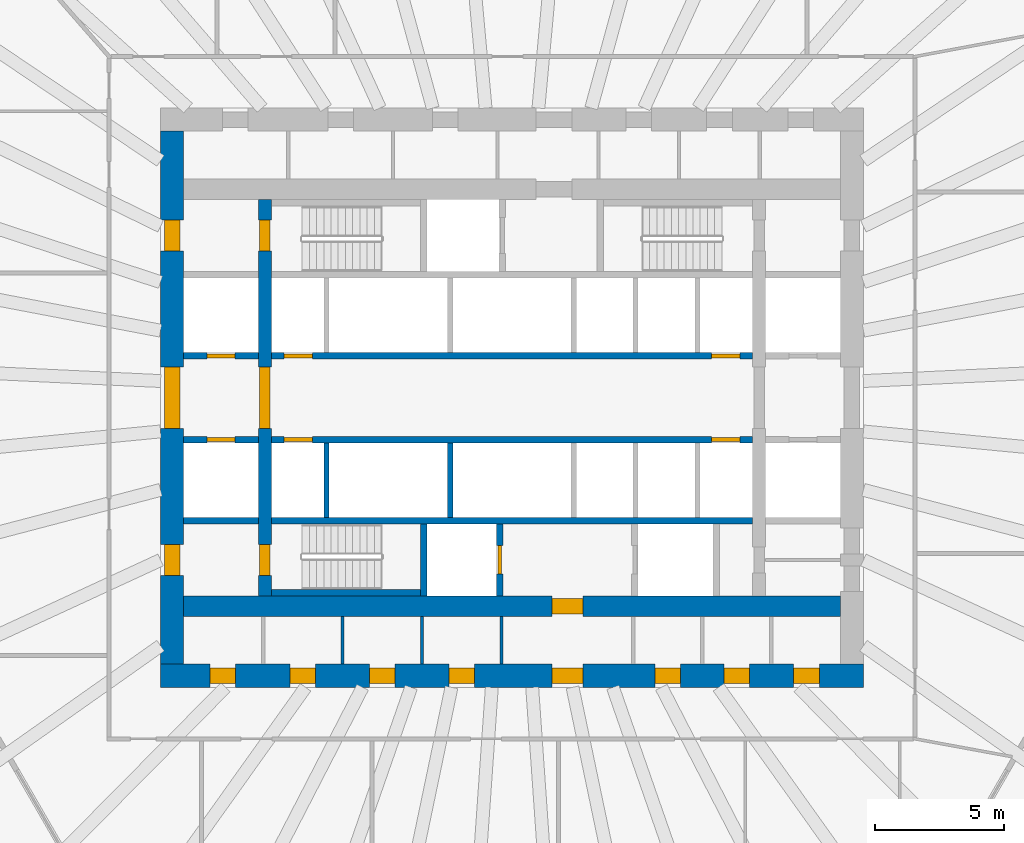
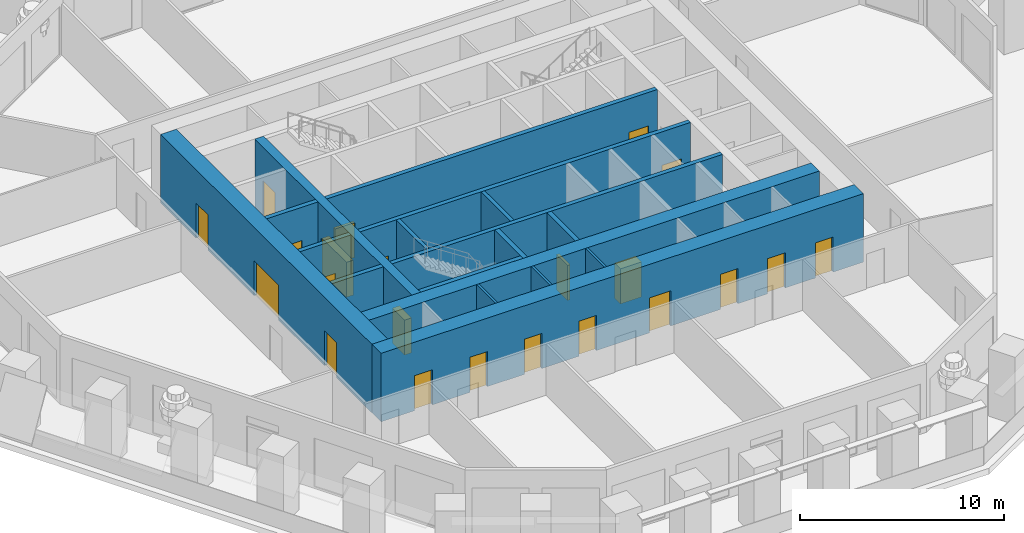
# One storey, part 4 of 12: 22 doors, 18 walls, 22 openings.
"""IFC4 building model written with IfcOpenShell, lengths in metres."""

from ifc_helpers import new_model, si_unit, direction, frame, frame_2d, origin, place, context, subcontext, project, spatial, rectangle, extrude, material, layer, layer_set, type_object, element, fill, save


model = new_model("IFC4")

# Units and contexts
model_context = context("Model", 3, precision=1e-05, world=origin(), true_north=direction((0.0, 1.0)))
body_context = subcontext(model_context, "Body", "Model", "MODEL_VIEW")
ifc_project = project(units=[si_unit("LENGTHUNIT", "METRE"), si_unit("AREAUNIT", "SQUARE_METRE"), si_unit("VOLUMEUNIT", "CUBIC_METRE"), si_unit("PLANEANGLEUNIT", "RADIAN"), si_unit("MASSUNIT", "GRAM", prefix="KILO")], contexts=[model_context])

# Site, building, storey
site_placement = place(None, origin())
site = spatial("IfcSite", under=ifc_project, at=site_placement, CompositionType="ELEMENT")
building_placement = place(site_placement, origin())
building = spatial("IfcBuilding", under=site, at=building_placement, Name="Frailejon Research Tower", CompositionType="ELEMENT")
storey_placement = place(building_placement, frame((0.0, 0.0, 63.0)))
storey = spatial("IfcBuildingStorey", under=building, at=storey_placement, Name="L14", CompositionType="ELEMENT", Elevation=63.0)

# Walls
ifc_material_1 = material(Name="Plasterboard on steel studs", Category="steel")
ifc_layer_1 = layer(ifc_material_1, 0.125)
ifc_layer_set_1 = layer_set([ifc_layer_1], Name="Core partition 125")
wall_type_1 = type_object("IfcWallType", Name="Core partition 125", PredefinedType="PARTITIONING", material=ifc_layer_set_1)
for number, where, z_axis, x_axis, name in (
    (1, (-6.581298828125, -10.35009765625, 0.0), (0.0, 0.0, 1.0), (0.0, 1.0, 0.0), "Core partition"),
    (2, (-3.496826171875, -10.35009765625, 0.0), (0.0, 0.0, 1.0), (0.0, 1.0, 0.0), "Core partition"),
    (3, (-0.41259765625, -10.35009765625, 0.0), (0.0, 0.0, 1.0), (0.0, 1.0, 0.0), "Core partition"),
):
    element("IfcWall", number, at=place(storey_placement, frame(where, z_axis=z_axis, x_axis=x_axis)), inside=storey, type_object=wall_type_1, Name=name, PredefinedType="PARTITIONING", context=body_context, shape_type="SweptSolid", body=[
        extrude(rectangle(XDim=1.85009765625, YDim=0.125, at=frame_2d((0.925048828125, 0.0))), origin(), (0.0, 0.0, 1.0), 4.10009765625),
    ])

# Wall, openings, doors
ifc_material_2 = material(Name="Concrete C70/85", Category="concrete")
ifc_layer_2 = layer(ifc_material_2, 0.5)
ifc_layer_set_2 = layer_set([ifc_layer_2], Name="Core shear wall 500 C70/85")
wall_type_2 = type_object("IfcWallType", Name="Core shear wall 500 C70/85", PredefinedType="SHEAR", material=ifc_layer_set_2)
wall_1_placement = place(storey_placement, frame((-9.60009765625, -7.699951171875, 0.0), z_axis=(0.0, 0.0, 1.0), x_axis=(0.0, 1.0, 0.0)))
wall_1 = element("IfcWall", 4, at=wall_1_placement, inside=storey, type_object=wall_type_2, Name="Core shear wall", PredefinedType="SHEAR", context=body_context, shape_type="SweptSolid", body=[
    extrude(rectangle(XDim=15.39990234375, YDim=0.5, at=frame_2d((7.699951171875, 0.0))), origin(), (0.0, 0.0, 1.0), 4.10009765625),
])
opening_1_placement = place(wall_1_placement, frame((6.5, 0.0, 0.0)))
opening_1 = element("IfcOpeningElement", 5, at=opening_1_placement, cuts=wall_1, Name="Opening D2", PredefinedType="OPENING", context=body_context, shape_type="SweptSolid", body=[
    extrude(rectangle(XDim=2.39990234375, YDim=2.10009765625, at=frame_2d((1.199951171875, 1.050048828125))), frame((0.0, 0.260009765625, 0.0), z_axis=(0.0, -1.0, 0.0), x_axis=(1.0, 0.0, 0.0)), (0.0, 0.0, 1.0), 0.52001953125),
])
opening_2_placement = place(wall_1_placement, frame((13.39990234375, 0.0, 0.0)))
opening_2 = element("IfcOpeningElement", 6, at=opening_2_placement, cuts=wall_1, Name="Opening D1", PredefinedType="OPENING", context=body_context, shape_type="SweptSolid", body=[
    extrude(rectangle(XDim=1.199951171875, YDim=2.10009765625, at=frame_2d((0.60009765625, 1.050048828125))), frame((0.0, 0.260009765625, 0.0), z_axis=(0.0, -1.0, 0.0), x_axis=(1.0, 0.0, 0.0)), (0.0, 0.0, 1.0), 0.52001953125),
])
opening_3_placement = place(wall_1_placement, frame((0.800048828125, 0.0, 0.0)))
opening_3 = element("IfcOpeningElement", 7, at=opening_3_placement, cuts=wall_1, Name="Opening D1", PredefinedType="OPENING", context=body_context, shape_type="SweptSolid", body=[
    extrude(rectangle(XDim=1.199951171875, YDim=2.10009765625, at=frame_2d((0.60009765625, 1.050048828125))), frame((0.0, 0.260009765625, 0.0), z_axis=(0.0, -1.0, 0.0), x_axis=(1.0, 0.0, 0.0)), (0.0, 0.0, 1.0), 0.52001953125),
])
ifc_material_3 = material(Name="Steel", Category="steel")
door_type_1 = type_object("IfcDoorType", Name="Lobby double door", OperationType="DOUBLE_DOOR_SINGLE_SWING", PredefinedType="DOOR", material=ifc_material_3)
door_1_placement = place(opening_1_placement, origin())
door_1 = element("IfcDoor", 8, at=door_1_placement, inside=storey, type_object=door_type_1, Name="Lobby door", OperationType="DOUBLE_DOOR_SINGLE_SWING", OverallHeight=2.10009765625, OverallWidth=2.39990234375, PredefinedType="DOOR", context=body_context, shape_type="SweptSolid", body=[
    extrude(rectangle(XDim=2.39990234375, YDim=2.10009765625, at=frame_2d((1.199951171875, 1.050048828125))), frame((0.0, 0.199951171875, 0.0), z_axis=(0.0, -1.0, 0.0), x_axis=(1.0, 0.0, 0.0)), (0.0, 0.0, 1.0), 0.39990234375),
])
fill(opening_1, door_1)
ifc_material_4 = material(Name="Steel", Category="steel")
door_type_2 = type_object("IfcDoorType", Name="Stair door", OperationType="SINGLE_SWING_LEFT", PredefinedType="DOOR", material=ifc_material_4)
door_2_placement = place(opening_2_placement, origin())
door_2 = element("IfcDoor", 9, at=door_2_placement, inside=storey, type_object=door_type_2, Name="Stair door ST1", OperationType="SINGLE_SWING_LEFT", OverallHeight=2.10009765625, OverallWidth=1.199951171875, PredefinedType="DOOR", context=body_context, shape_type="SweptSolid", body=[
    extrude(rectangle(XDim=1.199951171875, YDim=2.10009765625, at=frame_2d((0.60009765625, 1.050048828125))), frame((0.0, 0.199951171875, 0.0), z_axis=(0.0, -1.0, 0.0), x_axis=(1.0, 0.0, 0.0)), (0.0, 0.0, 1.0), 0.39990234375),
])
fill(opening_2, door_2)
door_3_placement = place(opening_3_placement, origin())
door_3 = element("IfcDoor", 10, at=door_3_placement, inside=storey, type_object=door_type_2, Name="Stair door ST2", OperationType="SINGLE_SWING_LEFT", OverallHeight=2.10009765625, OverallWidth=1.199951171875, PredefinedType="DOOR", context=body_context, shape_type="SweptSolid", body=[
    extrude(rectangle(XDim=1.199951171875, YDim=2.10009765625, at=frame_2d((0.60009765625, 1.050048828125))), frame((0.0, 0.199951171875, 0.0), z_axis=(0.0, -1.0, 0.0), x_axis=(1.0, 0.0, 0.0)), (0.0, 0.0, 1.0), 0.39990234375),
])
fill(opening_3, door_3)

# Wall, opening, door
ifc_material_5 = material(Name="Concrete C70/85", Category="concrete")
ifc_layer_3 = layer(ifc_material_5, 0.800048828125)
ifc_layer_set_3 = layer_set([ifc_layer_3], Name="Core shear wall 800 C70/85")
wall_type_3 = type_object("IfcWallType", Name="Core shear wall 800 C70/85", PredefinedType="SHEAR", material=ifc_layer_set_3)
wall_2_placement = place(storey_placement, frame((-12.75, -8.10009765625, 0.0), z_axis=(0.0, 0.0, 1.0), x_axis=(1.0, 0.0, 0.0)))
wall_2 = element("IfcWall", 11, at=wall_2_placement, inside=storey, type_object=wall_type_3, Name="Core shear wall", PredefinedType="SHEAR", context=body_context, shape_type="SweptSolid", body=[
    extrude(rectangle(XDim=25.5, YDim=0.800048828125, at=frame_2d((12.75, 0.0))), origin(), (0.0, 0.0, 1.0), 4.10009765625),
])
opening_4_placement = place(wall_2_placement, frame((14.300048828125, 0.0, 0.0)))
opening_4 = element("IfcOpeningElement", 12, at=opening_4_placement, cuts=wall_2, Name="Opening D3", PredefinedType="OPENING", context=body_context, shape_type="SweptSolid", body=[
    extrude(rectangle(XDim=1.199951171875, YDim=2.10009765625, at=frame_2d((0.60009765625, 1.050048828125))), frame((0.0, 0.409912109375, 0.0), z_axis=(0.0, -1.0, 0.0), x_axis=(1.0, 0.0, 0.0)), (0.0, 0.0, 1.0), 0.820068359375),
])
ifc_material_6 = material(Name="Steel", Category="steel")
door_type_3 = type_object("IfcDoorType", Name="Firefighting lobby door", OperationType="SINGLE_SWING_LEFT", PredefinedType="DOOR", material=ifc_material_6)
door_4_placement = place(opening_4_placement, origin())
door_4 = element("IfcDoor", 13, at=door_4_placement, inside=storey, type_object=door_type_3, Name="Firefighting lobby door", OperationType="SINGLE_SWING_LEFT", OverallHeight=2.10009765625, OverallWidth=1.199951171875, PredefinedType="DOOR", context=body_context, shape_type="SweptSolid", body=[
    extrude(rectangle(XDim=1.199951171875, YDim=2.10009765625, at=frame_2d((0.60009765625, 1.050048828125))), frame((0.0, 0.300048828125, 0.0), z_axis=(0.0, -1.0, 0.0), x_axis=(1.0, 0.0, 0.0)), (0.0, 0.0, 1.0), 0.60009765625),
])
fill(opening_4, door_4)

# Wall, openings, doors
ifc_material_7 = material(Name="Concrete C70/85", Category="concrete")
ifc_layer_4 = layer(ifc_material_7, 0.89990234375)
ifc_layer_set_4 = layer_set([ifc_layer_4], Name="Core shear wall 900 C70/85")
wall_type_4 = type_object("IfcWallType", Name="Core shear wall 900 C70/85", PredefinedType="SHEAR", material=ifc_layer_set_4)
wall_3_placement = place(storey_placement, frame((-13.64990234375, -10.800048828125, 0.0), z_axis=(0.0, 0.0, 1.0), x_axis=(1.0, 0.0, 0.0)))
wall_3 = element("IfcWall", 14, at=wall_3_placement, inside=storey, type_object=wall_type_4, Name="Core shear wall", PredefinedType="SHEAR", context=body_context, shape_type="SweptSolid", body=[
    extrude(rectangle(XDim=27.2998046875, YDim=0.89990234375, at=frame_2d((13.64990234375, 0.0))), origin(), (0.0, 0.0, 1.0), 4.10009765625),
])
opening_5_placement = place(wall_3_placement, frame((1.910888671875, 0.0, 0.0)))
opening_5 = element("IfcOpeningElement", 15, at=opening_5_placement, cuts=wall_3, Name="Opening D4", PredefinedType="OPENING", context=body_context, shape_type="SweptSolid", body=[
    extrude(rectangle(XDim=1.0, YDim=2.10009765625, at=frame_2d((0.5, 1.050048828125))), frame((0.0, 0.4599609375, 0.0), z_axis=(0.0, -1.0, 0.0), x_axis=(1.0, 0.0, 0.0)), (0.0, 0.0, 1.0), 0.919921875),
])
opening_6_placement = place(wall_3_placement, frame((5.026611328125, 0.0, 0.0)))
opening_6 = element("IfcOpeningElement", 16, at=opening_6_placement, cuts=wall_3, Name="Opening D4", PredefinedType="OPENING", context=body_context, shape_type="SweptSolid", body=[
    extrude(rectangle(XDim=1.0, YDim=2.10009765625, at=frame_2d((0.5, 1.050048828125))), frame((0.0, 0.4599609375, 0.0), z_axis=(0.0, -1.0, 0.0), x_axis=(1.0, 0.0, 0.0)), (0.0, 0.0, 1.0), 0.919921875),
])
opening_7_placement = place(wall_3_placement, frame((8.11083984375, 0.0, 0.0)))
opening_7 = element("IfcOpeningElement", 17, at=opening_7_placement, cuts=wall_3, Name="Opening D4", PredefinedType="OPENING", context=body_context, shape_type="SweptSolid", body=[
    extrude(rectangle(XDim=1.0, YDim=2.10009765625, at=frame_2d((0.5, 1.050048828125))), frame((0.0, 0.4599609375, 0.0), z_axis=(0.0, -1.0, 0.0), x_axis=(1.0, 0.0, 0.0)), (0.0, 0.0, 1.0), 0.919921875),
])
opening_8_placement = place(wall_3_placement, frame((11.1953125, 0.0, 0.0)))
opening_8 = element("IfcOpeningElement", 18, at=opening_8_placement, cuts=wall_3, Name="Opening D4", PredefinedType="OPENING", context=body_context, shape_type="SweptSolid", body=[
    extrude(rectangle(XDim=1.0, YDim=2.10009765625, at=frame_2d((0.5, 1.050048828125))), frame((0.0, 0.4599609375, 0.0), z_axis=(0.0, -1.0, 0.0), x_axis=(1.0, 0.0, 0.0)), (0.0, 0.0, 1.0), 0.919921875),
])
opening_9_placement = place(wall_3_placement, frame((19.2021484375, 0.0, 0.0)))
opening_9 = element("IfcOpeningElement", 19, at=opening_9_placement, cuts=wall_3, Name="Opening D4", PredefinedType="OPENING", context=body_context, shape_type="SweptSolid", body=[
    extrude(rectangle(XDim=1.0, YDim=2.10009765625, at=frame_2d((0.5, 1.050048828125))), frame((0.0, 0.4599609375, 0.0), z_axis=(0.0, -1.0, 0.0), x_axis=(1.0, 0.0, 0.0)), (0.0, 0.0, 1.0), 0.919921875),
])
opening_10_placement = place(wall_3_placement, frame((21.881103515625, 0.0, 0.0)))
opening_10 = element("IfcOpeningElement", 20, at=opening_10_placement, cuts=wall_3, Name="Opening D4", PredefinedType="OPENING", context=body_context, shape_type="SweptSolid", body=[
    extrude(rectangle(XDim=1.0, YDim=2.10009765625, at=frame_2d((0.5, 1.050048828125))), frame((0.0, 0.4599609375, 0.0), z_axis=(0.0, -1.0, 0.0), x_axis=(1.0, 0.0, 0.0)), (0.0, 0.0, 1.0), 0.919921875),
])
opening_11_placement = place(wall_3_placement, frame((24.591796875, 0.0, 0.0)))
opening_11 = element("IfcOpeningElement", 21, at=opening_11_placement, cuts=wall_3, Name="Opening D4", PredefinedType="OPENING", context=body_context, shape_type="SweptSolid", body=[
    extrude(rectangle(XDim=1.0, YDim=2.10009765625, at=frame_2d((0.5, 1.050048828125))), frame((0.0, 0.4599609375, 0.0), z_axis=(0.0, -1.0, 0.0), x_axis=(1.0, 0.0, 0.0)), (0.0, 0.0, 1.0), 0.919921875),
])
opening_12_placement = place(wall_3_placement, frame((15.199951171875, 0.0, 0.0)))
opening_12 = element("IfcOpeningElement", 22, at=opening_12_placement, cuts=wall_3, Name="Opening D3", PredefinedType="OPENING", context=body_context, shape_type="SweptSolid", body=[
    extrude(rectangle(XDim=1.199951171875, YDim=2.10009765625, at=frame_2d((0.60009765625, 1.050048828125))), frame((0.0, 0.4599609375, 0.0), z_axis=(0.0, -1.0, 0.0), x_axis=(1.0, 0.0, 0.0)), (0.0, 0.0, 1.0), 0.919921875),
])
door_5_placement = place(opening_12_placement, origin())
door_5 = element("IfcDoor", 23, at=door_5_placement, inside=storey, type_object=door_type_3, Name="Passage door", OperationType="SINGLE_SWING_RIGHT", OverallHeight=2.10009765625, OverallWidth=1.199951171875, PredefinedType="DOOR", context=body_context, shape_type="SweptSolid", body=[
    extrude(rectangle(XDim=1.199951171875, YDim=2.10009765625, at=frame_2d((0.60009765625, 1.050048828125))), frame((0.0, 0.300048828125, 0.0), z_axis=(0.0, -1.0, 0.0), x_axis=(1.0, 0.0, 0.0)), (0.0, 0.0, 1.0), 0.60009765625),
])
fill(opening_12, door_5)
ifc_material_8 = material(Name="Steel", Category="steel")
door_type_4 = type_object("IfcDoorType", Name="Service door", OperationType="SINGLE_SWING_LEFT", PredefinedType="DOOR", material=ifc_material_8)
door_6_placement = place(opening_5_placement, origin())
door_6 = element("IfcDoor", 24, at=door_6_placement, inside=storey, type_object=door_type_4, Name="Room door", OperationType="SINGLE_SWING_LEFT", OverallHeight=2.10009765625, OverallWidth=1.0, PredefinedType="DOOR", context=body_context, shape_type="SweptSolid", body=[
    extrude(rectangle(XDim=1.0, YDim=2.10009765625, at=frame_2d((0.5, 1.050048828125))), frame((0.0, 0.300048828125, 0.0), z_axis=(0.0, -1.0, 0.0), x_axis=(1.0, 0.0, 0.0)), (0.0, 0.0, 1.0), 0.60009765625),
])
fill(opening_5, door_6)
door_7_placement = place(opening_6_placement, origin())
door_7 = element("IfcDoor", 25, at=door_7_placement, inside=storey, type_object=door_type_4, Name="Room door", OperationType="SINGLE_SWING_RIGHT", OverallHeight=2.10009765625, OverallWidth=1.0, PredefinedType="DOOR", context=body_context, shape_type="SweptSolid", body=[
    extrude(rectangle(XDim=1.0, YDim=2.10009765625, at=frame_2d((0.5, 1.050048828125))), frame((0.0, 0.300048828125, 0.0), z_axis=(0.0, -1.0, 0.0), x_axis=(1.0, 0.0, 0.0)), (0.0, 0.0, 1.0), 0.60009765625),
])
fill(opening_6, door_7)
door_8_placement = place(opening_7_placement, origin())
door_8 = element("IfcDoor", 26, at=door_8_placement, inside=storey, type_object=door_type_4, Name="Room door", OperationType="SINGLE_SWING_LEFT", OverallHeight=2.10009765625, OverallWidth=1.0, PredefinedType="DOOR", context=body_context, shape_type="SweptSolid", body=[
    extrude(rectangle(XDim=1.0, YDim=2.10009765625, at=frame_2d((0.5, 1.050048828125))), frame((0.0, 0.300048828125, 0.0), z_axis=(0.0, -1.0, 0.0), x_axis=(1.0, 0.0, 0.0)), (0.0, 0.0, 1.0), 0.60009765625),
])
fill(opening_7, door_8)
door_9_placement = place(opening_8_placement, origin())
door_9 = element("IfcDoor", 27, at=door_9_placement, inside=storey, type_object=door_type_4, Name="Room door", OperationType="SINGLE_SWING_RIGHT", OverallHeight=2.10009765625, OverallWidth=1.0, PredefinedType="DOOR", context=body_context, shape_type="SweptSolid", body=[
    extrude(rectangle(XDim=1.0, YDim=2.10009765625, at=frame_2d((0.5, 1.050048828125))), frame((0.0, 0.300048828125, 0.0), z_axis=(0.0, -1.0, 0.0), x_axis=(1.0, 0.0, 0.0)), (0.0, 0.0, 1.0), 0.60009765625),
])
fill(opening_8, door_9)
door_10_placement = place(opening_9_placement, origin())
door_10 = element("IfcDoor", 28, at=door_10_placement, inside=storey, type_object=door_type_4, Name="Room door", OperationType="SINGLE_SWING_LEFT", OverallHeight=2.10009765625, OverallWidth=1.0, PredefinedType="DOOR", context=body_context, shape_type="SweptSolid", body=[
    extrude(rectangle(XDim=1.0, YDim=2.10009765625, at=frame_2d((0.5, 1.050048828125))), frame((0.0, 0.300048828125, 0.0), z_axis=(0.0, -1.0, 0.0), x_axis=(1.0, 0.0, 0.0)), (0.0, 0.0, 1.0), 0.60009765625),
])
fill(opening_9, door_10)
door_11_placement = place(opening_10_placement, origin())
door_11 = element("IfcDoor", 29, at=door_11_placement, inside=storey, type_object=door_type_4, Name="Room door", OperationType="SINGLE_SWING_RIGHT", OverallHeight=2.10009765625, OverallWidth=1.0, PredefinedType="DOOR", context=body_context, shape_type="SweptSolid", body=[
    extrude(rectangle(XDim=1.0, YDim=2.10009765625, at=frame_2d((0.5, 1.050048828125))), frame((0.0, 0.300048828125, 0.0), z_axis=(0.0, -1.0, 0.0), x_axis=(1.0, 0.0, 0.0)), (0.0, 0.0, 1.0), 0.60009765625),
])
fill(opening_10, door_11)
door_12_placement = place(opening_11_placement, origin())
door_12 = element("IfcDoor", 30, at=door_12_placement, inside=storey, type_object=door_type_4, Name="Room door", OperationType="SINGLE_SWING_LEFT", OverallHeight=2.10009765625, OverallWidth=1.0, PredefinedType="DOOR", context=body_context, shape_type="SweptSolid", body=[
    extrude(rectangle(XDim=1.0, YDim=2.10009765625, at=frame_2d((0.5, 1.050048828125))), frame((0.0, 0.300048828125, 0.0), z_axis=(0.0, -1.0, 0.0), x_axis=(1.0, 0.0, 0.0)), (0.0, 0.0, 1.0), 0.60009765625),
])
fill(opening_11, door_12)

wall_4_placement = place(storey_placement, frame((-13.199951171875, -10.35009765625, 0.0), z_axis=(0.0, 0.0, 1.0), x_axis=(0.0, 1.0, 0.0)))
wall_4 = element("IfcWall", 31, at=wall_4_placement, inside=storey, type_object=wall_type_4, Name="Core shear wall", PredefinedType="SHEAR", context=body_context, shape_type="SweptSolid", body=[
    extrude(rectangle(XDim=20.7001953125, YDim=0.89990234375, at=frame_2d((10.35009765625, 0.0))), origin(), (0.0, 0.0, 1.0), 4.10009765625),
])
opening_13_placement = place(wall_4_placement, frame((9.14990234375, 0.0, 0.0)))
opening_13 = element("IfcOpeningElement", 32, at=opening_13_placement, cuts=wall_4, Name="Opening D2", PredefinedType="OPENING", context=body_context, shape_type="SweptSolid", body=[
    extrude(rectangle(XDim=2.39990234375, YDim=2.10009765625, at=frame_2d((1.199951171875, 1.050048828125))), frame((0.0, 0.4599609375, 0.0), z_axis=(0.0, -1.0, 0.0), x_axis=(1.0, 0.0, 0.0)), (0.0, 0.0, 1.0), 0.919921875),
])
opening_14_placement = place(wall_4_placement, frame((16.050048828125, 0.0, 0.0)))
opening_14 = element("IfcOpeningElement", 33, at=opening_14_placement, cuts=wall_4, Name="Opening D7", PredefinedType="OPENING", context=body_context, shape_type="SweptSolid", body=[
    extrude(rectangle(XDim=1.199951171875, YDim=2.10009765625, at=frame_2d((0.60009765625, 1.050048828125))), frame((0.0, 0.4599609375, 0.0), z_axis=(0.0, -1.0, 0.0), x_axis=(1.0, 0.0, 0.0)), (0.0, 0.0, 1.0), 0.919921875),
])
opening_15_placement = place(wall_4_placement, frame((3.449951171875, 0.0, 0.0)))
opening_15 = element("IfcOpeningElement", 34, at=opening_15_placement, cuts=wall_4, Name="Opening D7", PredefinedType="OPENING", context=body_context, shape_type="SweptSolid", body=[
    extrude(rectangle(XDim=1.199951171875, YDim=2.10009765625, at=frame_2d((0.60009765625, 1.050048828125))), frame((0.0, 0.4599609375, 0.0), z_axis=(0.0, -1.0, 0.0), x_axis=(1.0, 0.0, 0.0)), (0.0, 0.0, 1.0), 0.919921875),
])
door_13_placement = place(opening_13_placement, origin())
door_13 = element("IfcDoor", 35, at=door_13_placement, inside=storey, type_object=door_type_1, Name="Lobby door", OperationType="DOUBLE_DOOR_SINGLE_SWING", OverallHeight=2.10009765625, OverallWidth=2.39990234375, PredefinedType="DOOR", context=body_context, shape_type="SweptSolid", body=[
    extrude(rectangle(XDim=2.39990234375, YDim=2.10009765625, at=frame_2d((1.199951171875, 1.050048828125))), frame((0.0, 0.300048828125, 0.0), z_axis=(0.0, -1.0, 0.0), x_axis=(1.0, 0.0, 0.0)), (0.0, 0.0, 1.0), 0.60009765625),
])
fill(opening_13, door_13)
ifc_material_9 = material(Name="Steel", Category="steel")
door_type_5 = type_object("IfcDoorType", Name="Stair exit door", OperationType="SINGLE_SWING_LEFT", PredefinedType="DOOR", material=ifc_material_9)
door_14_placement = place(opening_14_placement, origin())
door_14 = element("IfcDoor", 36, at=door_14_placement, inside=storey, type_object=door_type_5, Name="Stair exit door ST1", OperationType="SINGLE_SWING_RIGHT", OverallHeight=2.10009765625, OverallWidth=1.199951171875, PredefinedType="DOOR", context=body_context, shape_type="SweptSolid", body=[
    extrude(rectangle(XDim=1.199951171875, YDim=2.10009765625, at=frame_2d((0.60009765625, 1.050048828125))), frame((0.0, 0.300048828125, 0.0), z_axis=(0.0, -1.0, 0.0), x_axis=(1.0, 0.0, 0.0)), (0.0, 0.0, 1.0), 0.60009765625),
])
fill(opening_14, door_14)
door_15_placement = place(opening_15_placement, origin())
door_15 = element("IfcDoor", 37, at=door_15_placement, inside=storey, type_object=door_type_5, Name="Stair exit door ST2", OperationType="SINGLE_SWING_RIGHT", OverallHeight=2.10009765625, OverallWidth=1.199951171875, PredefinedType="DOOR", context=body_context, shape_type="SweptSolid", body=[
    extrude(rectangle(XDim=1.199951171875, YDim=2.10009765625, at=frame_2d((0.60009765625, 1.050048828125))), frame((0.0, 0.300048828125, 0.0), z_axis=(0.0, -1.0, 0.0), x_axis=(1.0, 0.0, 0.0)), (0.0, 0.0, 1.0), 0.60009765625),
])
fill(opening_15, door_15)

# Walls
ifc_material_10 = material(Name="Concrete C70/85", Category="concrete")
ifc_layer_5 = layer(ifc_material_10, 0.199951171875)
ifc_layer_set_5 = layer_set([ifc_layer_5], Name="Shaft wall 200 C70/85")
wall_type_5 = type_object("IfcWallType", Name="Shaft wall 200 C70/85", PredefinedType="SOLIDWALL", material=ifc_layer_set_5)
for number, where, z_axis, x_axis, name in (
    (38, (-7.199951171875, -4.64990234375, 0.0), (0.0, 0.0, 1.0), (0.0, 1.0, 0.0), "Shaft wall"),
    (39, (-2.39990234375, -4.64990234375, 0.0), (0.0, 0.0, 1.0), (0.0, 1.0, 0.0), "Shaft wall"),
):
    element("IfcWall", number, at=place(storey_placement, frame(where, z_axis=z_axis, x_axis=x_axis)), inside=storey, type_object=wall_type_5, Name=name, PredefinedType="SOLIDWALL", context=body_context, shape_type="SweptSolid", body=[
        extrude(rectangle(XDim=2.89990234375, YDim=0.199951171875, at=frame_2d((1.449951171875, 0.0))), origin(), (0.0, 0.0, 1.0), 4.10009765625),
    ])

# Wall, opening, door
ifc_material_11 = material(Name="Concrete C70/85", Category="concrete")
ifc_layer_6 = layer(ifc_material_11, 0.25)
ifc_layer_set_6 = layer_set([ifc_layer_6], Name="Shaft wall 250 C70/85")
wall_type_6 = type_object("IfcWallType", Name="Shaft wall 250 C70/85", PredefinedType="SOLIDWALL", material=ifc_layer_set_6)
wall_5_placement = place(storey_placement, frame((-12.75, 1.625, 0.0), z_axis=(0.0, 0.0, 1.0), x_axis=(1.0, 0.0, 0.0)))
wall_5 = element("IfcWall", 40, at=wall_5_placement, inside=storey, type_object=wall_type_6, Name="Shaft wall", PredefinedType="SOLIDWALL", context=body_context, shape_type="SweptSolid", body=[
    extrude(rectangle(XDim=2.89990234375, YDim=0.25, at=frame_2d((1.449951171875, 0.0))), origin(), (0.0, 0.0, 1.0), 4.10009765625),
])
opening_16_placement = place(wall_5_placement, frame((0.89990234375, 0.0, 0.0)))
opening_16 = element("IfcOpeningElement", 41, at=opening_16_placement, cuts=wall_5, Name="Opening LD", PredefinedType="OPENING", context=body_context, shape_type="SweptSolid", body=[
    extrude(rectangle(XDim=1.10009765625, YDim=2.10009765625, at=frame_2d((0.550048828125, 1.050048828125))), frame((0.0, 0.135009765625, 0.0), z_axis=(0.0, -1.0, 0.0), x_axis=(1.0, 0.0, 0.0)), (0.0, 0.0, 1.0), 0.27001953125),
])
ifc_material_12 = material(Name="Steel", Category="steel")
door_type_6 = type_object("IfcDoorType", Name="Lift landing door", OperationType="DOUBLE_DOOR_SLIDING", PredefinedType="DOOR", material=ifc_material_12)
door_16_placement = place(opening_16_placement, origin())
door_16 = element("IfcDoor", 42, at=door_16_placement, inside=storey, type_object=door_type_6, Name="Lift landing door", OperationType="DOUBLE_DOOR_SLIDING", OverallHeight=2.10009765625, OverallWidth=1.10009765625, PredefinedType="DOOR", context=body_context, shape_type="SweptSolid", body=[
    extrude(rectangle(XDim=1.10009765625, YDim=2.10009765625, at=frame_2d((0.550048828125, 1.050048828125))), frame((0.0, 0.074951171875, 0.0), z_axis=(0.0, -1.0, 0.0), x_axis=(1.0, 0.0, 0.0)), (0.0, 0.0, 1.0), 0.14990234375),
])
fill(opening_16, door_16)

# Wall, openings, doors
wall_6_placement = place(storey_placement, frame((-9.35009765625, 1.625, 0.0), z_axis=(0.0, 0.0, 1.0), x_axis=(1.0, 0.0, 0.0)))
wall_6 = element("IfcWall", 43, at=wall_6_placement, inside=storey, type_object=wall_type_6, Name="Shaft wall", PredefinedType="SOLIDWALL", context=body_context, shape_type="SweptSolid", body=[
    extrude(rectangle(XDim=18.7001953125, YDim=0.25, at=frame_2d((9.35009765625, 0.0))), origin(), (0.0, 0.0, 1.0), 4.10009765625),
])
opening_17_placement = place(wall_6_placement, frame((0.5, 0.0, 0.0)))
opening_17 = element("IfcOpeningElement", 44, at=opening_17_placement, cuts=wall_6, Name="Opening LD", PredefinedType="OPENING", context=body_context, shape_type="SweptSolid", body=[
    extrude(rectangle(XDim=1.10009765625, YDim=2.10009765625, at=frame_2d((0.550048828125, 1.050048828125))), frame((0.0, 0.135009765625, 0.0), z_axis=(0.0, -1.0, 0.0), x_axis=(1.0, 0.0, 0.0)), (0.0, 0.0, 1.0), 0.27001953125),
])
opening_18_placement = place(wall_6_placement, frame((17.10009765625, 0.0, 0.0)))
opening_18 = element("IfcOpeningElement", 45, at=opening_18_placement, cuts=wall_6, Name="Opening LD", PredefinedType="OPENING", context=body_context, shape_type="SweptSolid", body=[
    extrude(rectangle(XDim=1.10009765625, YDim=2.10009765625, at=frame_2d((0.550048828125, 1.050048828125))), frame((0.0, 0.135009765625, 0.0), z_axis=(0.0, -1.0, 0.0), x_axis=(1.0, 0.0, 0.0)), (0.0, 0.0, 1.0), 0.27001953125),
])
door_17_placement = place(opening_17_placement, origin())
door_17 = element("IfcDoor", 46, at=door_17_placement, inside=storey, type_object=door_type_6, Name="Lift landing door", OperationType="DOUBLE_DOOR_SLIDING", OverallHeight=2.10009765625, OverallWidth=1.10009765625, PredefinedType="DOOR", context=body_context, shape_type="SweptSolid", body=[
    extrude(rectangle(XDim=1.10009765625, YDim=2.10009765625, at=frame_2d((0.550048828125, 1.050048828125))), frame((0.0, 0.074951171875, 0.0), z_axis=(0.0, -1.0, 0.0), x_axis=(1.0, 0.0, 0.0)), (0.0, 0.0, 1.0), 0.14990234375),
])
fill(opening_17, door_17)
door_18_placement = place(opening_18_placement, origin())
door_18 = element("IfcDoor", 47, at=door_18_placement, inside=storey, type_object=door_type_6, Name="Lift landing door", OperationType="DOUBLE_DOOR_SLIDING", OverallHeight=2.10009765625, OverallWidth=1.10009765625, PredefinedType="DOOR", context=body_context, shape_type="SweptSolid", body=[
    extrude(rectangle(XDim=1.10009765625, YDim=2.10009765625, at=frame_2d((0.550048828125, 1.050048828125))), frame((0.0, 0.074951171875, 0.0), z_axis=(0.0, -1.0, 0.0), x_axis=(1.0, 0.0, 0.0)), (0.0, 0.0, 1.0), 0.14990234375),
])
fill(opening_18, door_18)

# Wall, opening, door
wall_7_placement = place(storey_placement, frame((-12.75, -1.625, 0.0), z_axis=(0.0, 0.0, 1.0), x_axis=(1.0, 0.0, 0.0)))
wall_7 = element("IfcWall", 48, at=wall_7_placement, inside=storey, type_object=wall_type_6, Name="Shaft wall", PredefinedType="SOLIDWALL", context=body_context, shape_type="SweptSolid", body=[
    extrude(rectangle(XDim=2.89990234375, YDim=0.25, at=frame_2d((1.449951171875, 0.0))), origin(), (0.0, 0.0, 1.0), 4.10009765625),
])
opening_19_placement = place(wall_7_placement, frame((0.89990234375, 0.0, 0.0)))
opening_19 = element("IfcOpeningElement", 49, at=opening_19_placement, cuts=wall_7, Name="Opening LD", PredefinedType="OPENING", context=body_context, shape_type="SweptSolid", body=[
    extrude(rectangle(XDim=1.10009765625, YDim=2.10009765625, at=frame_2d((0.550048828125, 1.050048828125))), frame((0.0, 0.135009765625, 0.0), z_axis=(0.0, -1.0, 0.0), x_axis=(1.0, 0.0, 0.0)), (0.0, 0.0, 1.0), 0.27001953125),
])
door_19_placement = place(opening_19_placement, origin())
door_19 = element("IfcDoor", 50, at=door_19_placement, inside=storey, type_object=door_type_6, Name="Lift landing door", OperationType="DOUBLE_DOOR_SLIDING", OverallHeight=2.10009765625, OverallWidth=1.10009765625, PredefinedType="DOOR", context=body_context, shape_type="SweptSolid", body=[
    extrude(rectangle(XDim=1.10009765625, YDim=2.10009765625, at=frame_2d((0.550048828125, 1.050048828125))), frame((0.0, 0.074951171875, 0.0), z_axis=(0.0, -1.0, 0.0), x_axis=(1.0, 0.0, 0.0)), (0.0, 0.0, 1.0), 0.14990234375),
])
fill(opening_19, door_19)

# Wall, openings, doors
wall_8_placement = place(storey_placement, frame((-9.35009765625, -1.625, 0.0), z_axis=(0.0, 0.0, 1.0), x_axis=(1.0, 0.0, 0.0)))
wall_8 = element("IfcWall", 51, at=wall_8_placement, inside=storey, type_object=wall_type_6, Name="Shaft wall", PredefinedType="SOLIDWALL", context=body_context, shape_type="SweptSolid", body=[
    extrude(rectangle(XDim=18.7001953125, YDim=0.25, at=frame_2d((9.35009765625, 0.0))), origin(), (0.0, 0.0, 1.0), 4.10009765625),
])
opening_20_placement = place(wall_8_placement, frame((0.5, 0.0, 0.0)))
opening_20 = element("IfcOpeningElement", 52, at=opening_20_placement, cuts=wall_8, Name="Opening LD", PredefinedType="OPENING", context=body_context, shape_type="SweptSolid", body=[
    extrude(rectangle(XDim=1.10009765625, YDim=2.10009765625, at=frame_2d((0.550048828125, 1.050048828125))), frame((0.0, 0.135009765625, 0.0), z_axis=(0.0, -1.0, 0.0), x_axis=(1.0, 0.0, 0.0)), (0.0, 0.0, 1.0), 0.27001953125),
])
opening_21_placement = place(wall_8_placement, frame((17.10009765625, 0.0, 0.0)))
opening_21 = element("IfcOpeningElement", 53, at=opening_21_placement, cuts=wall_8, Name="Opening LD", PredefinedType="OPENING", context=body_context, shape_type="SweptSolid", body=[
    extrude(rectangle(XDim=1.10009765625, YDim=2.10009765625, at=frame_2d((0.550048828125, 1.050048828125))), frame((0.0, 0.135009765625, 0.0), z_axis=(0.0, -1.0, 0.0), x_axis=(1.0, 0.0, 0.0)), (0.0, 0.0, 1.0), 0.27001953125),
])
door_20_placement = place(opening_20_placement, origin())
door_20 = element("IfcDoor", 54, at=door_20_placement, inside=storey, type_object=door_type_6, Name="Lift landing door", OperationType="DOUBLE_DOOR_SLIDING", OverallHeight=2.10009765625, OverallWidth=1.10009765625, PredefinedType="DOOR", context=body_context, shape_type="SweptSolid", body=[
    extrude(rectangle(XDim=1.10009765625, YDim=2.10009765625, at=frame_2d((0.550048828125, 1.050048828125))), frame((0.0, 0.074951171875, 0.0), z_axis=(0.0, -1.0, 0.0), x_axis=(1.0, 0.0, 0.0)), (0.0, 0.0, 1.0), 0.14990234375),
])
fill(opening_20, door_20)
door_21_placement = place(opening_21_placement, origin())
door_21 = element("IfcDoor", 55, at=door_21_placement, inside=storey, type_object=door_type_6, Name="Lift landing door", OperationType="DOUBLE_DOOR_SLIDING", OverallHeight=2.10009765625, OverallWidth=1.10009765625, PredefinedType="DOOR", context=body_context, shape_type="SweptSolid", body=[
    extrude(rectangle(XDim=1.10009765625, YDim=2.10009765625, at=frame_2d((0.550048828125, 1.050048828125))), frame((0.0, 0.074951171875, 0.0), z_axis=(0.0, -1.0, 0.0), x_axis=(1.0, 0.0, 0.0)), (0.0, 0.0, 1.0), 0.14990234375),
])
fill(opening_21, door_21)

# Walls
wall_9_placement = place(storey_placement, frame((-12.75, -4.77490234375, 0.0), z_axis=(0.0, 0.0, 1.0), x_axis=(1.0, 0.0, 0.0)))
element("IfcWall", 56, at=wall_9_placement, inside=storey, type_object=wall_type_6, Name="Shaft wall", PredefinedType="SOLIDWALL", context=body_context, shape_type="SweptSolid", body=[
    extrude(rectangle(XDim=2.89990234375, YDim=0.25, at=frame_2d((1.449951171875, 0.0))), origin(), (0.0, 0.0, 1.0), 4.10009765625),
])
wall_10_placement = place(storey_placement, frame((-9.35009765625, -4.77490234375, 0.0), z_axis=(0.0, 0.0, 1.0), x_axis=(1.0, 0.0, 0.0)))
element("IfcWall", 57, at=wall_10_placement, inside=storey, type_object=wall_type_6, Name="Shaft wall", PredefinedType="SOLIDWALL", context=body_context, shape_type="SweptSolid", body=[
    extrude(rectangle(XDim=18.7001953125, YDim=0.25, at=frame_2d((9.35009765625, 0.0))), origin(), (0.0, 0.0, 1.0), 4.10009765625),
])
wall_11_placement = place(storey_placement, frame((-9.35009765625, -7.574951171875, 0.0), z_axis=(0.0, 0.0, 1.0), x_axis=(1.0, 0.0, 0.0)))
element("IfcWall", 58, at=wall_11_placement, inside=storey, type_object=wall_type_6, Name="Shaft wall", PredefinedType="SOLIDWALL", context=body_context, shape_type="SweptSolid", body=[
    extrude(rectangle(XDim=5.800048828125, YDim=0.25, at=frame_2d((2.89990234375, 0.0))), origin(), (0.0, 0.0, 1.0), 4.10009765625),
])
wall_12_placement = place(storey_placement, frame((-3.425048828125, -7.699951171875, 0.0), z_axis=(0.0, 0.0, 1.0), x_axis=(0.0, 1.0, 0.0)))
element("IfcWall", 59, at=wall_12_placement, inside=storey, type_object=wall_type_6, Name="Shaft wall", PredefinedType="SOLIDWALL", context=body_context, shape_type="SweptSolid", body=[
    extrude(rectangle(XDim=2.800048828125, YDim=0.25, at=frame_2d((1.39990234375, 0.0))), origin(), (0.0, 0.0, 1.0), 4.10009765625),
])

# Wall, opening, door
wall_13_placement = place(storey_placement, frame((-0.47509765625, -7.699951171875, 0.0), z_axis=(0.0, 0.0, 1.0), x_axis=(0.0, 1.0, 0.0)))
wall_13 = element("IfcWall", 60, at=wall_13_placement, inside=storey, type_object=wall_type_6, Name="Shaft wall", PredefinedType="SOLIDWALL", context=body_context, shape_type="SweptSolid", body=[
    extrude(rectangle(XDim=2.800048828125, YDim=0.25, at=frame_2d((1.39990234375, 0.0))), origin(), (0.0, 0.0, 1.0), 4.10009765625),
])
opening_22_placement = place(wall_13_placement, frame((0.85009765625, 0.0, 0.0)))
opening_22 = element("IfcOpeningElement", 61, at=opening_22_placement, cuts=wall_13, Name="Opening LD", PredefinedType="OPENING", context=body_context, shape_type="SweptSolid", body=[
    extrude(rectangle(XDim=1.10009765625, YDim=2.10009765625, at=frame_2d((0.550048828125, 1.050048828125))), frame((0.0, 0.135009765625, 0.0), z_axis=(0.0, -1.0, 0.0), x_axis=(1.0, 0.0, 0.0)), (0.0, 0.0, 1.0), 0.27001953125),
])
door_22_placement = place(opening_22_placement, origin())
door_22 = element("IfcDoor", 62, at=door_22_placement, inside=storey, type_object=door_type_6, Name="Lift landing door", OperationType="DOUBLE_DOOR_SLIDING", OverallHeight=2.10009765625, OverallWidth=1.10009765625, PredefinedType="DOOR", context=body_context, shape_type="SweptSolid", body=[
    extrude(rectangle(XDim=1.10009765625, YDim=2.10009765625, at=frame_2d((0.550048828125, 1.050048828125))), frame((0.0, 0.074951171875, 0.0), z_axis=(0.0, -1.0, 0.0), x_axis=(1.0, 0.0, 0.0)), (0.0, 0.0, 1.0), 0.14990234375),
])
fill(opening_22, door_22)

save(model, "model.ifc")
